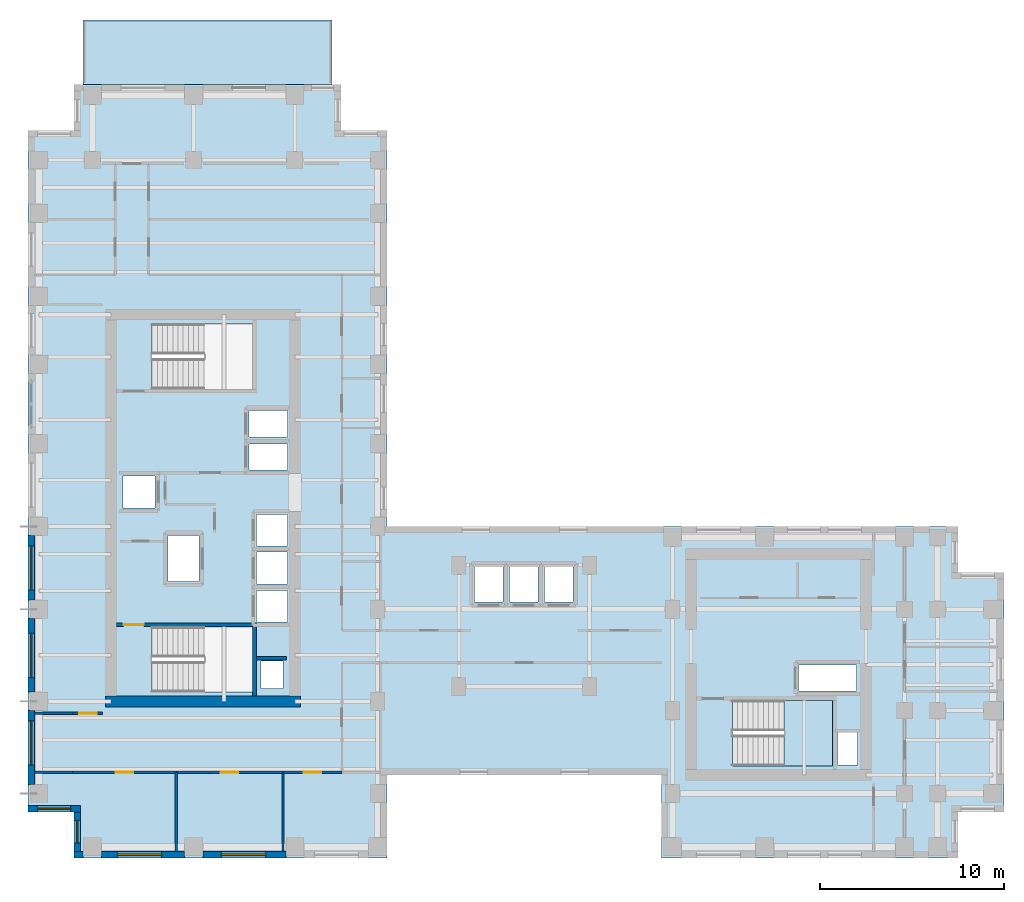
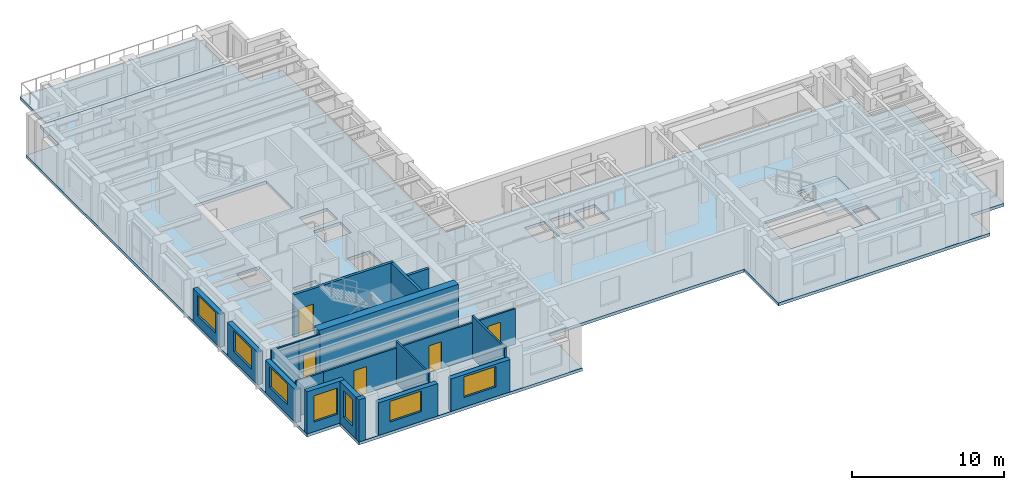
# One storey, part 4 of 13: 20 walls, 7 windows, 5 doors, 3 slabs, 12 openings, 1 element without a shape of its own.
"""IFC4 building model written with IfcOpenShell, lengths in metres."""

from ifc_helpers import new_model, si_unit, direction, frame, frame_2d, origin, place, context, subcontext, project, spatial, polyline, rectangle, outline, extrude, source, transform, mapped, material, layer, layer_set, type_object, element, fill, aggregate, save


model = new_model("IFC4")

# Units and contexts
model_context = context("Model", 3, precision=1e-05, world=origin(), true_north=direction((0.0, 1.0)))
body_context = subcontext(model_context, "Body", "Model", "MODEL_VIEW")
ifc_project = project(units=[si_unit("LENGTHUNIT", "METRE"), si_unit("AREAUNIT", "SQUARE_METRE"), si_unit("VOLUMEUNIT", "CUBIC_METRE"), si_unit("PLANEANGLEUNIT", "RADIAN"), si_unit("MASSUNIT", "GRAM", prefix="KILO")], contexts=[model_context])

# Site, building, storey
site_placement = place(None, origin())
site = spatial("IfcSite", under=ifc_project, at=site_placement, CompositionType="ELEMENT")
building_placement = place(site_placement, origin())
building = spatial("IfcBuilding", under=site, at=building_placement, Name="Kharzan Plaza Tower", CompositionType="ELEMENT")
storey_placement = place(building_placement, frame((0.0, 0.0, 143.10009765625)))
storey = spatial("IfcBuildingStorey", under=building, at=storey_placement, Name="L38", CompositionType="ELEMENT", Elevation=143.10009765625)

# Slab
ifc_material_1 = material(Name="Concrete C40/50", Category="concrete")
ifc_layer_1 = layer(ifc_material_1, 0.239990234375)
ifc_layer_set_1 = layer_set([ifc_layer_1], Name="Concrete C40/50")
slab_type_1 = type_object("IfcSlabType", Name="SL-FLOOR-240", PredefinedType="FLOOR", material=ifc_layer_set_1)
slab_1_placement = place(storey_placement, frame((0.0, 0.0, -0.239990234375)))
element("IfcSlab", 1, at=slab_1_placement, inside=storey, type_object=slab_type_1, Name="L38 Composite Structural Floor Slab 240 mm", PredefinedType="FLOOR", context=body_context, shape_type="SweptSolid", body=[
    extrude(outline(polyline([(34.39990234375, 18.0), (19.5, 18.0), (19.5, 39.5), (17.0, 39.5), (17.0, 42.0), (2.5, 42.0), (2.5, 39.5), (0.0, 39.5), (0.0, 2.5), (2.5, 2.5), (2.5, 0.0), (19.5, 0.0), (19.5, 4.5), (34.39990234375, 4.5), (34.39990234375, 0.0), (50.5, 0.0), (50.5, 2.5), (53.0, 2.5), (53.0, 15.5), (50.5, 15.5), (50.5, 18.0), (34.39990234375, 18.0)]), holes=[polyline([(12.199951171875, 9.0), (12.199951171875, 12.550048828125), (6.75, 12.550048828125), (6.75, 9.0), (12.199951171875, 9.0)]), polyline([(14.10009765625, 12.800048828125), (14.10009765625, 14.530029296875), (12.39990234375, 14.530029296875), (12.39990234375, 12.800048828125), (14.10009765625, 12.800048828125)]), polyline([(14.10009765625, 14.8701171875), (14.10009765625, 16.60009765625), (12.39990234375, 16.60009765625), (12.39990234375, 14.8701171875), (14.10009765625, 14.8701171875)]), polyline([(9.300048828125, 15.0), (9.300048828125, 17.5), (7.60009765625, 17.5), (7.60009765625, 15.0), (9.300048828125, 15.0)]), polyline([(6.89990234375, 19.010009765625), (6.89990234375, 20.72998046875), (5.14990234375, 20.72998046875), (5.14990234375, 19.010009765625), (6.89990234375, 19.010009765625)]), polyline([(14.10009765625, 21.070068359375), (14.10009765625, 22.489990234375), (12.0, 22.489990234375), (12.0, 21.070068359375), (14.10009765625, 21.070068359375)]), polyline([(14.10009765625, 22.8701171875), (14.10009765625, 24.2900390625), (12.0, 24.2900390625), (12.0, 22.8701171875), (14.10009765625, 22.8701171875)]), polyline([(12.199951171875, 25.449951171875), (12.199951171875, 29.0), (6.75, 29.0), (6.75, 25.449951171875), (12.199951171875, 25.449951171875)]), polyline([(45.050048828125, 5.050048828125), (45.050048828125, 6.800048828125), (43.949951171875, 6.800048828125), (43.949951171875, 5.050048828125), (45.050048828125, 5.050048828125)]), polyline([(43.699951171875, 5.0), (43.699951171875, 8.550048828125), (38.25, 8.550048828125), (38.25, 5.0), (43.699951171875, 5.0)]), polyline([(45.0, 9.070068359375), (45.0, 10.469970703125), (41.85009765625, 10.469970703125), (41.85009765625, 9.070068359375), (45.0, 9.070068359375)]), polyline([(13.85009765625, 9.199951171875), (13.85009765625, 10.699951171875), (12.64990234375, 10.699951171875), (12.64990234375, 9.199951171875), (13.85009765625, 9.199951171875)]), polyline([(25.800048828125, 13.89990234375), (25.800048828125, 15.85009765625), (24.25, 15.85009765625), (24.25, 13.89990234375), (25.800048828125, 13.89990234375)]), polyline([(27.699951171875, 13.89990234375), (27.699951171875, 15.85009765625), (26.14990234375, 15.85009765625), (26.14990234375, 13.89990234375), (27.699951171875, 13.89990234375)]), polyline([(29.60009765625, 13.89990234375), (29.60009765625, 15.85009765625), (28.050048828125, 15.85009765625), (28.050048828125, 13.89990234375), (29.60009765625, 13.89990234375)]), polyline([(14.10009765625, 16.93994140625), (14.10009765625, 18.64990234375), (12.39990234375, 18.64990234375), (12.39990234375, 16.93994140625), (14.10009765625, 16.93994140625)])]), origin(), (0.0, 0.0, 1.0), 0.239990234375),
])

# Stair, slab
stair_type = type_object("IfcStairType", Name="STR-ST-3", PredefinedType="HALF_TURN_STAIR", material=ifc_material_1)
stair_placement = place(storey_placement, origin())
stair = element("IfcStair", 2, at=stair_placement, inside=storey, type_object=stair_type, Name="L38 Protected Exit Stair ST-3", PredefinedType="HALF_TURN_STAIR")
ifc_layer_2 = layer(ifc_material_1, 0.219970703125)
ifc_layer_set_2 = layer_set([ifc_layer_2], Name="Concrete C40/50")
slab_type_2 = type_object("IfcSlabType", Name="SL-LANDING-220", PredefinedType="LANDING", material=ifc_layer_set_2)
slab_2_placement = place(storey_placement, frame((0.0, 0.0, 1.599853515625)))
slab_2 = element("IfcSlab", 3, at=slab_2_placement, type_object=slab_type_2, Name="ST-3 landing 1", PredefinedType="LANDING", context=body_context, shape_type="SweptSolid", body=[
    extrude(outline(polyline([(41.050048828125, 5.0), (43.699951171875, 5.0), (43.699951171875, 8.550048828125), (41.050048828125, 8.550048828125), (41.050048828125, 5.0)])), origin(), (0.0, 0.0, 1.0), 0.199951171875),
])
aggregate(stair, [slab_2])

# Slab
ifc_layer_3 = layer(ifc_material_1, 0.2451171875)
ifc_layer_set_3 = layer_set([ifc_layer_3], Name="Concrete C40/50")
slab_type_3 = type_object("IfcSlabType", Name="SL-TERR-TS-SB2", PredefinedType="ROOF", material=ifc_layer_set_3)
slab_3_placement = place(storey_placement, frame((0.0, 0.0, -0.2451171875)))
element("IfcSlab", 4, at=slab_3_placement, inside=storey, type_object=slab_type_3, Name="L38 Mid-Tower Setback Sky Terrace", PredefinedType="ROOF", context=body_context, shape_type="SweptSolid", body=[
    extrude(outline(polyline([(3.0, 42.0), (16.5, 42.0), (16.5, 45.5), (3.0, 45.5), (3.0, 42.0)])), origin(), (0.0, 0.0, 1.0), 0.2451171875),
])

# Wall, opening, window
ifc_layer_4 = layer(ifc_material_1, 0.35009765625)
ifc_layer_set_4 = layer_set([ifc_layer_4], Name="Concrete C40/50")
wall_type_1 = type_object("IfcWallType", Name="WL-EXT-MAS-Z3", PredefinedType="SOLIDWALL", material=ifc_layer_set_4)
wall_1_placement = place(storey_placement, frame((0.175048828125, 17.501953125, 0.0), z_axis=(0.0, 0.0, 1.0), x_axis=(0.0, -1.0, 0.0)))
wall_1 = element("IfcWall", 5, at=wall_1_placement, inside=storey, type_object=wall_type_1, Name="L38 Masonry-Frame Exterior Wall 16", PredefinedType="SOLIDWALL", context=body_context, shape_type="SweptSolid", body=[
    extrude(rectangle(XDim=3.50390625, YDim=0.35009765625, at=frame_2d((1.751953125, 0.0))), origin(), (0.0, 0.0, 1.0), 2.61181640625),
])
opening_1_placement = place(wall_1_placement, frame((0.552001953125, 0.0, 0.780029296875)))
opening_1 = element("IfcOpeningElement", 6, at=opening_1_placement, cuts=wall_1, Name="Opening W2", PredefinedType="OPENING", context=body_context, shape_type="SweptSolid", body=[
    extrude(rectangle(XDim=2.39990234375, YDim=1.652099609375, at=frame_2d((1.199951171875, 0.826171875))), frame((0.0, 0.18505859375, 0.0), z_axis=(0.0, -1.0, 0.0), x_axis=(1.0, 0.0, 0.0)), (0.0, 0.0, 1.0), 0.3701171875),
])
ifc_material_2 = material(Name="Low-E Double Glazing", Category="glass")
window_type_1 = type_object("IfcWindowType", Name="WN-REC-2400x2100", PartitioningType="SINGLE_PANEL", PredefinedType="WINDOW", material=ifc_material_2)
shared_shape_1 = source(origin(), body_context, "Body", "SweptSolid", [
    extrude(rectangle(XDim=2.39990234375, YDim=1.652099609375, at=frame_2d((1.199951171875, 0.826171875))), frame((0.0, 0.030029296875, 0.0), z_axis=(0.0, -1.0, 0.0), x_axis=(1.0, 0.0, 0.0)), (0.0, 0.0, 1.0), 0.06005859375),
])
window_1_placement = place(opening_1_placement, origin())
window_1 = element("IfcWindow", 7, at=window_1_placement, inside=storey, type_object=window_type_1, Name="L38 Wide Recessed Solar-Control Window 16-1", OverallHeight=1.652099609375, OverallWidth=2.39990234375, PartitioningType="SINGLE_PANEL", PredefinedType="WINDOW", context=body_context, shape_type="MappedRepresentation", body=[
    mapped(shared_shape_1, transform((0.0, 0.0, 0.0), x_axis=(1.0, 0.0, 0.0), y_axis=(0.0, 1.0, 0.0), z_axis=(0.0, 0.0, 1.0))),
])
fill(opening_1, window_1)

wall_2_placement = place(storey_placement, frame((0.175048828125, 13.001953125, 0.0), z_axis=(0.0, 0.0, 1.0), x_axis=(0.0, -1.0, 0.0)))
wall_2 = element("IfcWall", 8, at=wall_2_placement, inside=storey, type_object=wall_type_1, Name="L38 Masonry-Frame Exterior Wall 17", PredefinedType="SOLIDWALL", context=body_context, shape_type="SweptSolid", body=[
    extrude(rectangle(XDim=4.00390625, YDim=0.35009765625, at=frame_2d((2.001953125, 0.0))), origin(), (0.0, 0.0, 1.0), 2.61181640625),
])
opening_2_placement = place(wall_2_placement, frame((0.802001953125, 0.0, 0.780029296875)))
opening_2 = element("IfcOpeningElement", 9, at=opening_2_placement, cuts=wall_2, Name="Opening W2", PredefinedType="OPENING", context=body_context, shape_type="SweptSolid", body=[
    extrude(rectangle(XDim=2.39990234375, YDim=1.652099609375, at=frame_2d((1.199951171875, 0.826171875))), frame((0.0, 0.18505859375, 0.0), z_axis=(0.0, -1.0, 0.0), x_axis=(1.0, 0.0, 0.0)), (0.0, 0.0, 1.0), 0.3701171875),
])
window_2_placement = place(opening_2_placement, origin())
window_2 = element("IfcWindow", 10, at=window_2_placement, inside=storey, type_object=window_type_1, Name="L38 Wide Recessed Solar-Control Window 17-1", OverallHeight=1.652099609375, OverallWidth=2.39990234375, PartitioningType="SINGLE_PANEL", PredefinedType="WINDOW", context=body_context, shape_type="MappedRepresentation", body=[
    mapped(shared_shape_1, transform((0.0, 0.0, 0.0), x_axis=(1.0, 0.0, 0.0), y_axis=(0.0, 1.0, 0.0), z_axis=(0.0, 0.0, 1.0))),
])
fill(opening_2, window_2)

wall_3_placement = place(storey_placement, frame((0.175048828125, 8.001953125, 0.0), z_axis=(0.0, 0.0, 1.0), x_axis=(0.0, -1.0, 0.0)))
wall_3 = element("IfcWall", 11, at=wall_3_placement, inside=storey, type_object=wall_type_1, Name="L38 Masonry-Frame Exterior Wall 18", PredefinedType="SOLIDWALL", context=body_context, shape_type="SweptSolid", body=[
    extrude(rectangle(XDim=4.00390625, YDim=0.35009765625, at=frame_2d((2.001953125, 0.0))), origin(), (0.0, 0.0, 1.0), 2.61181640625),
])
opening_3_placement = place(wall_3_placement, frame((0.552001953125, 0.0, 0.780029296875)))
opening_3 = element("IfcOpeningElement", 12, at=opening_3_placement, cuts=wall_3, Name="Opening W2", PredefinedType="OPENING", context=body_context, shape_type="SweptSolid", body=[
    extrude(rectangle(XDim=2.39990234375, YDim=1.652099609375, at=frame_2d((1.199951171875, 0.826171875))), frame((0.0, 0.18505859375, 0.0), z_axis=(0.0, -1.0, 0.0), x_axis=(1.0, 0.0, 0.0)), (0.0, 0.0, 1.0), 0.3701171875),
])
window_3_placement = place(opening_3_placement, origin())
window_3 = element("IfcWindow", 13, at=window_3_placement, inside=storey, type_object=window_type_1, Name="L38 Wide Recessed Solar-Control Window 18-1", OverallHeight=1.652099609375, OverallWidth=2.39990234375, PartitioningType="SINGLE_PANEL", PredefinedType="WINDOW", context=body_context, shape_type="MappedRepresentation", body=[
    mapped(shared_shape_1, transform((0.0, 0.0, 0.0), x_axis=(1.0, 0.0, 0.0), y_axis=(0.0, 1.0, 0.0), z_axis=(0.0, 0.0, 1.0))),
])
fill(opening_3, window_3)

wall_4_placement = place(storey_placement, frame((0.0, 2.675048828125, 0.0), z_axis=(0.0, 0.0, 1.0), x_axis=(1.0, 0.0, 0.0)))
wall_4 = element("IfcWall", 14, at=wall_4_placement, inside=storey, type_object=wall_type_1, Name="L38 Masonry-Frame Exterior Wall 19", PredefinedType="SOLIDWALL", context=body_context, shape_type="SweptSolid", body=[
    extrude(rectangle(XDim=2.85009765625, YDim=0.35009765625, at=frame_2d((1.425048828125, 0.0))), origin(), (0.0, 0.0, 1.0), 3.385009765625),
])
opening_4_placement = place(wall_4_placement, frame((0.52490234375, 0.0, 0.780029296875)))
opening_4 = element("IfcOpeningElement", 15, at=opening_4_placement, cuts=wall_4, Name="Opening W1", PredefinedType="OPENING", context=body_context, shape_type="SweptSolid", body=[
    extrude(rectangle(XDim=1.800048828125, YDim=2.10009765625, at=frame_2d((0.89990234375, 1.050048828125))), frame((0.0, 0.18505859375, 0.0), z_axis=(0.0, -1.0, 0.0), x_axis=(1.0, 0.0, 0.0)), (0.0, 0.0, 1.0), 0.3701171875),
])
window_type_2 = type_object("IfcWindowType", Name="WN-REC-1800x2100", PartitioningType="SINGLE_PANEL", PredefinedType="WINDOW", material=ifc_material_2)
shared_shape_2 = source(origin(), body_context, "Body", "SweptSolid", [
    extrude(rectangle(XDim=1.800048828125, YDim=2.10009765625, at=frame_2d((0.89990234375, 1.050048828125))), frame((0.0, 0.030029296875, 0.0), z_axis=(0.0, -1.0, 0.0), x_axis=(1.0, 0.0, 0.0)), (0.0, 0.0, 1.0), 0.06005859375),
])
window_4_placement = place(opening_4_placement, origin())
window_4 = element("IfcWindow", 16, at=window_4_placement, inside=storey, type_object=window_type_2, Name="L38 Recessed Solar-Control Window 19-1", OverallHeight=2.10009765625, OverallWidth=1.800048828125, PartitioningType="SINGLE_PANEL", PredefinedType="WINDOW", context=body_context, shape_type="MappedRepresentation", body=[
    mapped(shared_shape_2, transform((0.0, 0.0, 0.0), x_axis=(1.0, 0.0, 0.0), y_axis=(0.0, 1.0, 0.0), z_axis=(0.0, 0.0, 1.0))),
])
fill(opening_4, window_4)

wall_5_placement = place(storey_placement, frame((2.675048828125, 2.501953125, 0.0), z_axis=(0.0, 0.0, 1.0), x_axis=(0.0, -1.0, 0.0)))
wall_5 = element("IfcWall", 17, at=wall_5_placement, inside=storey, type_object=wall_type_1, Name="L38 Masonry-Frame Exterior Wall 20", PredefinedType="SOLIDWALL", context=body_context, shape_type="SweptSolid", body=[
    extrude(rectangle(XDim=2.154052734375, YDim=0.35009765625, at=frame_2d((1.0771484375, 0.0))), origin(), (0.0, 0.0, 1.0), 3.385009765625),
])
opening_5_placement = place(wall_5_placement, frame((0.47705078125, 0.0, 0.780029296875)))
opening_5 = element("IfcOpeningElement", 18, at=opening_5_placement, cuts=wall_5, Name="Opening W3", PredefinedType="OPENING", context=body_context, shape_type="SweptSolid", body=[
    extrude(rectangle(XDim=1.199951171875, YDim=2.10009765625, at=frame_2d((0.60009765625, 1.050048828125))), frame((0.0, 0.18505859375, 0.0), z_axis=(0.0, -1.0, 0.0), x_axis=(1.0, 0.0, 0.0)), (0.0, 0.0, 1.0), 0.3701171875),
])
window_type_3 = type_object("IfcWindowType", Name="WN-REC-1200x2100", PartitioningType="SINGLE_PANEL", PredefinedType="WINDOW", material=ifc_material_2)
shared_shape_3 = source(origin(), body_context, "Body", "SweptSolid", [
    extrude(rectangle(XDim=1.199951171875, YDim=2.10009765625, at=frame_2d((0.60009765625, 1.050048828125))), frame((0.0, 0.030029296875, 0.0), z_axis=(0.0, -1.0, 0.0), x_axis=(1.0, 0.0, 0.0)), (0.0, 0.0, 1.0), 0.06005859375),
])
window_5_placement = place(opening_5_placement, origin())
window_5 = element("IfcWindow", 19, at=window_5_placement, inside=storey, type_object=window_type_3, Name="L38 Recessed Solar-Control Window 20-1", OverallHeight=2.10009765625, OverallWidth=1.199951171875, PartitioningType="SINGLE_PANEL", PredefinedType="WINDOW", context=body_context, shape_type="MappedRepresentation", body=[
    mapped(shared_shape_3, transform((0.0, 0.0, 0.0), x_axis=(1.0, 0.0, 0.0), y_axis=(0.0, 1.0, 0.0), z_axis=(0.0, 0.0, 1.0))),
])
fill(opening_5, window_5)

wall_6_placement = place(storey_placement, frame((3.998046875, 0.175048828125, 0.0), z_axis=(0.0, 0.0, 1.0), x_axis=(1.0, 0.0, 0.0)))
wall_6 = element("IfcWall", 20, at=wall_6_placement, inside=storey, type_object=wall_type_1, Name="L38 Masonry-Frame Exterior Wall 22", PredefinedType="SOLIDWALL", context=body_context, shape_type="SweptSolid", body=[
    extrude(rectangle(XDim=4.50390625, YDim=0.35009765625, at=frame_2d((2.251953125, 0.0))), origin(), (0.0, 0.0, 1.0), 2.61181640625),
])
opening_6_placement = place(wall_6_placement, frame((0.866455078125, 0.0, 0.780029296875)))
opening_6 = element("IfcOpeningElement", 21, at=opening_6_placement, cuts=wall_6, Name="Opening W2", PredefinedType="OPENING", context=body_context, shape_type="SweptSolid", body=[
    extrude(rectangle(XDim=2.39990234375, YDim=1.652099609375, at=frame_2d((1.199951171875, 0.826171875))), frame((0.0, 0.18505859375, 0.0), z_axis=(0.0, -1.0, 0.0), x_axis=(1.0, 0.0, 0.0)), (0.0, 0.0, 1.0), 0.3701171875),
])
window_6_placement = place(opening_6_placement, origin())
window_6 = element("IfcWindow", 22, at=window_6_placement, inside=storey, type_object=window_type_1, Name="L38 Wide Recessed Solar-Control Window 22-1", OverallHeight=1.652099609375, OverallWidth=2.39990234375, PartitioningType="SINGLE_PANEL", PredefinedType="WINDOW", context=body_context, shape_type="MappedRepresentation", body=[
    mapped(shared_shape_1, transform((0.0, 0.0, 0.0), x_axis=(1.0, 0.0, 0.0), y_axis=(0.0, 1.0, 0.0), z_axis=(0.0, 0.0, 1.0))),
])
fill(opening_6, window_6)

wall_7_placement = place(storey_placement, frame((9.498046875, 0.175048828125, 0.0), z_axis=(0.0, 0.0, 1.0), x_axis=(1.0, 0.0, 0.0)))
wall_7 = element("IfcWall", 23, at=wall_7_placement, inside=storey, type_object=wall_type_1, Name="L38 Masonry-Frame Exterior Wall 23", PredefinedType="SOLIDWALL", context=body_context, shape_type="SweptSolid", body=[
    extrude(rectangle(XDim=4.50390625, YDim=0.35009765625, at=frame_2d((2.251953125, 0.0))), origin(), (0.0, 0.0, 1.0), 2.61181640625),
])
opening_7_placement = place(wall_7_placement, frame((1.012939453125, 0.0, 0.780029296875)))
opening_7 = element("IfcOpeningElement", 24, at=opening_7_placement, cuts=wall_7, Name="Opening W2", PredefinedType="OPENING", context=body_context, shape_type="SweptSolid", body=[
    extrude(rectangle(XDim=2.39990234375, YDim=1.652099609375, at=frame_2d((1.199951171875, 0.826171875))), frame((0.0, 0.18505859375, 0.0), z_axis=(0.0, -1.0, 0.0), x_axis=(1.0, 0.0, 0.0)), (0.0, 0.0, 1.0), 0.3701171875),
])
window_7_placement = place(opening_7_placement, origin())
window_7 = element("IfcWindow", 25, at=window_7_placement, inside=storey, type_object=window_type_1, Name="L38 Wide Recessed Solar-Control Window 23-1", OverallHeight=1.652099609375, OverallWidth=2.39990234375, PartitioningType="SINGLE_PANEL", PredefinedType="WINDOW", context=body_context, shape_type="MappedRepresentation", body=[
    mapped(shared_shape_1, transform((0.0, 0.0, 0.0), x_axis=(1.0, 0.0, 0.0), y_axis=(0.0, 1.0, 0.0), z_axis=(0.0, 0.0, 1.0))),
])
fill(opening_7, window_7)

# Wall, opening, door
ifc_material_3 = material(Name="Fire-Rated Gypsum Board Partition", Category="gypsum")
ifc_layer_5 = layer(ifc_material_3, 0.125)
ifc_layer_set_5 = layer_set([ifc_layer_5], Name="Fire-Rated Gypsum Board Partition")
wall_type_2 = type_object("IfcWallType", Name="WL-INT-PART-125", PredefinedType="PARTITIONING", material=ifc_layer_set_5)
wall_8_placement = place(storey_placement, frame((2.449951171875, 7.85009765625, 0.0), z_axis=(0.0, 0.0, 1.0), x_axis=(1.0, 0.0, 0.0)))
wall_8 = element("IfcWall", 26, at=wall_8_placement, inside=storey, type_object=wall_type_2, Name="L38 Interior Partition SH-RWSD", PredefinedType="PARTITIONING", context=body_context, shape_type="SweptSolid", body=[
    extrude(rectangle(XDim=1.60009765625, YDim=0.125, at=frame_2d((0.800048828125, 0.0))), origin(), (0.0, 0.0, 1.0), 3.385009765625),
])
opening_8_placement = place(wall_8_placement, frame((0.324951171875, 0.0, 0.0)))
opening_8 = element("IfcOpeningElement", 27, at=opening_8_placement, cuts=wall_8, Name="Opening OD1", PredefinedType="OPENING", context=body_context, shape_type="SweptSolid", body=[
    extrude(rectangle(XDim=0.949951171875, YDim=2.14990234375, at=frame_2d((0.47509765625, 1.074951171875))), frame((0.0, 0.072509765625, 0.0), z_axis=(0.0, -1.0, 0.0), x_axis=(1.0, 0.0, 0.0)), (0.0, 0.0, 1.0), 0.14501953125),
])
ifc_material_4 = material(Name="Acoustic Solid-Core Stained Oak", Category="timber")
door_type_1 = type_object("IfcDoorType", Name="DR-OFF-SINGLE", OperationType="NOTDEFINED", PredefinedType="DOOR", material=ifc_material_4)
shared_shape_4 = source(origin(), body_context, "Body", "SweptSolid", [
    extrude(rectangle(XDim=0.949951171875, YDim=2.14990234375, at=frame_2d((0.47509765625, 1.074951171875))), frame((0.0, 0.02490234375, 0.0), z_axis=(0.0, -1.0, 0.0), x_axis=(1.0, 0.0, 0.0)), (0.0, 0.0, 1.0), 0.050048828125),
])
door_1_placement = place(opening_8_placement, origin())
door_1 = element("IfcDoor", 28, at=door_1_placement, inside=storey, type_object=door_type_1, Name="L38 West Studio South Door", OperationType="SINGLE_SWING_RIGHT", OverallHeight=2.14990234375, OverallWidth=0.949951171875, PredefinedType="DOOR", context=body_context, shape_type="MappedRepresentation", body=[
    mapped(shared_shape_4, transform((0.0, 0.0, 0.0), x_axis=(1.0, 0.0, 0.0), y_axis=(0.0, 1.0, 0.0), z_axis=(0.0, 0.0, 1.0))),
])
fill(opening_8, door_1)

wall_9_placement = place(storey_placement, frame((2.449951171875, 4.64990234375, 0.0), z_axis=(0.0, 0.0, 1.0), x_axis=(1.0, 0.0, 0.0)))
wall_9 = element("IfcWall", 29, at=wall_9_placement, inside=storey, type_object=wall_type_2, Name="L38 Interior Partition SH-SS-1", PredefinedType="PARTITIONING", context=body_context, shape_type="SweptSolid", body=[
    extrude(rectangle(XDim=5.611083984375, YDim=0.125, at=frame_2d((2.8056640625, 0.0))), origin(), (0.0, 0.0, 1.0), 2.847900390625),
])
opening_9_placement = place(wall_9_placement, frame((2.33056640625, 0.0, 0.0)))
opening_9 = element("IfcOpeningElement", 30, at=opening_9_placement, cuts=wall_9, Name="Opening OD1", PredefinedType="OPENING", context=body_context, shape_type="SweptSolid", body=[
    extrude(rectangle(XDim=0.949951171875, YDim=2.14990234375, at=frame_2d((0.47509765625, 1.074951171875))), frame((0.0, 0.072509765625, 0.0), z_axis=(0.0, -1.0, 0.0), x_axis=(1.0, 0.0, 0.0)), (0.0, 0.0, 1.0), 0.14501953125),
])
door_2_placement = place(opening_9_placement, origin())
door_2 = element("IfcDoor", 31, at=door_2_placement, inside=storey, type_object=door_type_1, Name="L38 Cloud Architecture Office Door", OperationType="SINGLE_SWING_LEFT", OverallHeight=2.14990234375, OverallWidth=0.949951171875, PredefinedType="DOOR", context=body_context, shape_type="MappedRepresentation", body=[
    mapped(shared_shape_4, transform((0.0, 0.0, 0.0), x_axis=(1.0, 0.0, 0.0), y_axis=(0.0, 1.0, 0.0), z_axis=(0.0, 0.0, 1.0))),
])
fill(opening_9, door_2)

wall_10_placement = place(storey_placement, frame((8.06103515625, 4.64990234375, 0.0), z_axis=(0.0, 0.0, 1.0), x_axis=(1.0, 0.0, 0.0)))
wall_10 = element("IfcWall", 32, at=wall_10_placement, inside=storey, type_object=wall_type_2, Name="L38 Interior Partition SH-SS-2", PredefinedType="PARTITIONING", context=body_context, shape_type="SweptSolid", body=[
    extrude(rectangle(XDim=5.79296875, YDim=0.125, at=frame_2d((2.896484375, 0.0))), origin(), (0.0, 0.0, 1.0), 2.847900390625),
])
opening_10_placement = place(wall_10_placement, frame((2.42138671875, 0.0, 0.0)))
opening_10 = element("IfcOpeningElement", 33, at=opening_10_placement, cuts=wall_10, Name="Opening OD1", PredefinedType="OPENING", context=body_context, shape_type="SweptSolid", body=[
    extrude(rectangle(XDim=0.949951171875, YDim=2.14990234375, at=frame_2d((0.47509765625, 1.074951171875))), frame((0.0, 0.072509765625, 0.0), z_axis=(0.0, -1.0, 0.0), x_axis=(1.0, 0.0, 0.0)), (0.0, 0.0, 1.0), 0.14501953125),
])
door_3_placement = place(opening_10_placement, origin())
door_3 = element("IfcDoor", 34, at=door_3_placement, inside=storey, type_object=door_type_1, Name="L38 Sprint Review Meeting Room Door", OperationType="SINGLE_SWING_RIGHT", OverallHeight=2.14990234375, OverallWidth=0.949951171875, PredefinedType="DOOR", context=body_context, shape_type="MappedRepresentation", body=[
    mapped(shared_shape_4, transform((0.0, 0.0, 0.0), x_axis=(1.0, 0.0, 0.0), y_axis=(0.0, 1.0, 0.0), z_axis=(0.0, 0.0, 1.0))),
])
fill(opening_10, door_3)

wall_11_placement = place(storey_placement, frame((13.85400390625, 4.64990234375, 0.0), z_axis=(0.0, 0.0, 1.0), x_axis=(1.0, 0.0, 0.0)))
wall_11 = element("IfcWall", 35, at=wall_11_placement, inside=storey, type_object=wall_type_2, Name="L38 Interior Partition SH-SS-3", PredefinedType="PARTITIONING", context=body_context, shape_type="SweptSolid", body=[
    extrude(rectangle(XDim=3.196044921875, YDim=0.125, at=frame_2d((1.59814453125, 0.0))), origin(), (0.0, 0.0, 1.0), 2.847900390625),
])
opening_11_placement = place(wall_11_placement, frame((1.123046875, 0.0, 0.0)))
opening_11 = element("IfcOpeningElement", 36, at=opening_11_placement, cuts=wall_11, Name="Opening OD1", PredefinedType="OPENING", context=body_context, shape_type="SweptSolid", body=[
    extrude(rectangle(XDim=0.949951171875, YDim=2.14990234375, at=frame_2d((0.47509765625, 1.074951171875))), frame((0.0, 0.072509765625, 0.0), z_axis=(0.0, -1.0, 0.0), x_axis=(1.0, 0.0, 0.0)), (0.0, 0.0, 1.0), 0.14501953125),
])
door_4_placement = place(opening_11_placement, origin())
door_4 = element("IfcDoor", 37, at=door_4_placement, inside=storey, type_object=door_type_1, Name="L38 Staff Tea Pantry Door", OperationType="SINGLE_SWING_LEFT", OverallHeight=2.14990234375, OverallWidth=0.949951171875, PredefinedType="DOOR", context=body_context, shape_type="MappedRepresentation", body=[
    mapped(shared_shape_4, transform((0.0, 0.0, 0.0), x_axis=(1.0, 0.0, 0.0), y_axis=(0.0, 1.0, 0.0), z_axis=(0.0, 0.0, 1.0))),
])
fill(opening_11, door_4)

ifc_material_5 = material(Name="Concrete C50/60", Category="concrete")
ifc_layer_6 = layer(ifc_material_5, 0.199951171875)
ifc_layer_set_6 = layer_set([ifc_layer_6], Name="Concrete C50/60")
wall_type_3 = type_object("IfcWallType", Name="WL-SHAFT-RC200", PredefinedType="SHEAR", material=ifc_layer_set_6)
wall_12_placement = place(storey_placement, frame((4.802001953125, 12.655029296875, 0.0), z_axis=(0.0, 0.0, 1.0), x_axis=(1.0, 0.0, 0.0)))
wall_12 = element("IfcWall", 38, at=wall_12_placement, inside=storey, type_object=wall_type_3, Name="L38 Stair ST-1 North RC Shaft Wall", PredefinedType="SHEAR", context=body_context, shape_type="SweptSolid", body=[
    extrude(rectangle(XDim=7.60302734375, YDim=0.199951171875, at=frame_2d((3.801513671875, 0.0))), origin(), (0.0, 0.0, 1.0), 3.39990234375),
])
opening_12_placement = place(wall_12_placement, frame((0.39990234375, 0.0, 0.0)))
opening_12 = element("IfcOpeningElement", 39, at=opening_12_placement, cuts=wall_12, Name="Opening SD1", PredefinedType="OPENING", context=body_context, shape_type="SweptSolid", body=[
    extrude(rectangle(XDim=1.10009765625, YDim=2.14990234375, at=frame_2d((0.550048828125, 1.074951171875))), frame((0.0, 0.10986328125, 0.0), z_axis=(0.0, -1.0, 0.0), x_axis=(1.0, 0.0, 0.0)), (0.0, 0.0, 1.0), 0.219970703125),
])
ifc_material_6 = material(Name="Fire-Rated Hollow Galvanized Steel", Category="steel")
door_type_2 = type_object("IfcDoorType", Name="DR-STAIR-FD120", OperationType="NOTDEFINED", PredefinedType="DOOR", material=ifc_material_6)
shared_shape_5 = source(origin(), body_context, "Body", "SweptSolid", [
    extrude(rectangle(XDim=1.10009765625, YDim=2.14990234375, at=frame_2d((0.550048828125, 1.074951171875))), frame((0.0, 0.02490234375, 0.0), z_axis=(0.0, -1.0, 0.0), x_axis=(1.0, 0.0, 0.0)), (0.0, 0.0, 1.0), 0.050048828125),
])
door_5_placement = place(opening_12_placement, origin())
door_5 = element("IfcDoor", 40, at=door_5_placement, inside=storey, type_object=door_type_2, Name="L38 Stair ST-1 Fire Exit Door", OperationType="SINGLE_SWING_LEFT", OverallHeight=2.14990234375, OverallWidth=1.10009765625, PredefinedType="DOOR", context=body_context, shape_type="MappedRepresentation", body=[
    mapped(shared_shape_5, transform((0.0, 0.0, 0.0), x_axis=(1.0, 0.0, 0.0), y_axis=(0.0, 1.0, 0.0), z_axis=(0.0, 0.0, 1.0))),
])
fill(opening_12, door_5)

# Walls
ifc_layer_7 = layer(ifc_material_5, 0.60009765625)
ifc_layer_set_7 = layer_set([ifc_layer_7], Name="Concrete C50/60")
wall_type_4 = type_object("IfcWallType", Name="WL-CORE-600", PredefinedType="SHEAR", material=ifc_layer_set_7)
shared_shape_6 = source(origin(), body_context, "Body", "SweptSolid", [
    extrude(rectangle(XDim=10.60009765625, YDim=0.60009765625, at=frame_2d((5.300048828125, 0.0))), origin(), (0.0, 0.0, 1.0), 3.39990234375),
])
wall_13_placement = place(storey_placement, frame((4.199951171875, 8.5, 0.0), z_axis=(0.0, 0.0, 1.0), x_axis=(1.0, 0.0, 0.0)))
element("IfcWall", 41, at=wall_13_placement, inside=storey, type_object=wall_type_4, Name="L38 CORE-A south RC shear wall", PredefinedType="SHEAR", context=body_context, shape_type="MappedRepresentation", body=[
    mapped(shared_shape_6, transform((0.0, 0.0, 0.0), x_axis=(1.0, 0.0, 0.0), y_axis=(0.0, 1.0, 0.0), z_axis=(0.0, 0.0, 1.0))),
])
shared_shape_7 = source(origin(), body_context, "Body", "SweptSolid", [
    extrude(rectangle(XDim=0.501953125, YDim=0.35009765625, at=frame_2d((0.2509765625, 0.0))), origin(), (0.0, 0.0, 1.0), 3.385009765625),
])
wall_14_placement = place(storey_placement, frame((2.5, 0.175048828125, 0.0), z_axis=(0.0, 0.0, 1.0), x_axis=(1.0, 0.0, 0.0)))
element("IfcWall", 42, at=wall_14_placement, inside=storey, type_object=wall_type_1, Name="L38 Masonry-Frame Exterior Wall 21", PredefinedType="SOLIDWALL", context=body_context, shape_type="MappedRepresentation", body=[
    mapped(shared_shape_7, transform((0.0, 0.0, 0.0), x_axis=(1.0, 0.0, 0.0), y_axis=(0.0, 1.0, 0.0), z_axis=(0.0, 0.0, 1.0))),
])
shared_shape_8 = source(origin(), body_context, "Body", "SweptSolid", [
    extrude(rectangle(XDim=2.097900390625, YDim=0.125, at=frame_2d((1.048828125, 0.0))), origin(), (0.0, 0.0, 1.0), 3.385009765625),
])
wall_15_placement = place(storey_placement, frame((0.35205078125, 7.85009765625, 0.0), z_axis=(0.0, 0.0, 1.0), x_axis=(1.0, 0.0, 0.0)))
element("IfcWall", 43, at=wall_15_placement, inside=storey, type_object=wall_type_2, Name="L38 Interior Partition SH-RWS0", PredefinedType="PARTITIONING", context=body_context, shape_type="MappedRepresentation", body=[
    mapped(shared_shape_8, transform((0.0, 0.0, 0.0), x_axis=(1.0, 0.0, 0.0), y_axis=(0.0, 1.0, 0.0), z_axis=(0.0, 0.0, 1.0))),
])
shared_shape_9 = source(origin(), body_context, "Body", "SweptSolid", [
    extrude(rectangle(XDim=2.097900390625, YDim=0.125, at=frame_2d((1.048828125, 0.0))), origin(), (0.0, 0.0, 1.0), 2.847900390625),
])
wall_16_placement = place(storey_placement, frame((0.35205078125, 4.64990234375, 0.0), z_axis=(0.0, 0.0, 1.0), x_axis=(1.0, 0.0, 0.0)))
element("IfcWall", 44, at=wall_16_placement, inside=storey, type_object=wall_type_2, Name="L38 Interior Partition SH-SS-EXT", PredefinedType="PARTITIONING", context=body_context, shape_type="MappedRepresentation", body=[
    mapped(shared_shape_9, transform((0.0, 0.0, 0.0), x_axis=(1.0, 0.0, 0.0), y_axis=(0.0, 1.0, 0.0), z_axis=(0.0, 0.0, 1.0))),
])
shared_shape_10 = source(origin(), body_context, "Body", "SweptSolid", [
    extrude(rectangle(XDim=4.2978515625, YDim=0.125, at=frame_2d((2.14892578125, 0.0))), origin(), (0.0, 0.0, 1.0), 3.385009765625),
])
for number, where, z_axis, x_axis, name in (
    (45, (8.06103515625, 0.35205078125, 0.0), (0.0, 0.0, 1.0), (0.0, 1.0, 0.0), "L38 Interior Partition SH-SV-1"),
    (46, (13.85400390625, 0.35205078125, 0.0), (0.0, 0.0, 1.0), (0.0, 1.0, 0.0), "L38 Interior Partition SH-SV-2"),
):
    element("IfcWall", number, at=place(storey_placement, frame(where, z_axis=z_axis, x_axis=x_axis)), inside=storey, type_object=wall_type_2, Name=name, PredefinedType="PARTITIONING", context=body_context, shape_type="MappedRepresentation", body=[
        mapped(shared_shape_10, transform((0.0, 0.0, 0.0), x_axis=(1.0, 0.0, 0.0), y_axis=(0.0, 1.0, 0.0), z_axis=(0.0, 0.0, 1.0))),
    ])
ifc_layer_8 = layer(ifc_material_1, 0.199951171875)
ifc_layer_set_8 = layer_set([ifc_layer_8], Name="Concrete C40/50")
wall_type_5 = type_object("IfcWallType", Name="WL-INT-SHAFT-200", PredefinedType="PARTITIONING", material=ifc_layer_set_8)
shared_shape_11 = source(origin(), body_context, "Body", "SweptSolid", [
    extrude(rectangle(XDim=1.630126953125, YDim=0.199951171875, at=frame_2d((0.81494140625, 0.0))), origin(), (0.0, 0.0, 1.0), 3.385009765625),
])
wall_17_placement = place(storey_placement, frame((12.419921875, 10.85009765625, 0.0), z_axis=(0.0, 0.0, 1.0), x_axis=(1.0, 0.0, 0.0)))
element("IfcWall", 47, at=wall_17_placement, inside=storey, type_object=wall_type_5, Name="L38 Interior Partition CA-RSRA-N", PredefinedType="PARTITIONING", context=body_context, shape_type="MappedRepresentation", body=[
    mapped(shared_shape_11, transform((0.0, 0.0, 0.0), x_axis=(1.0, 0.0, 0.0), y_axis=(0.0, 1.0, 0.0), z_axis=(0.0, 0.0, 1.0))),
])
shared_shape_12 = source(origin(), body_context, "Body", "SweptSolid", [
    extrude(rectangle(XDim=3.7529296875, YDim=0.199951171875, at=frame_2d((1.87646484375, 0.0))), origin(), (0.0, 0.0, 1.0), 3.39990234375),
])
wall_18_placement = place(storey_placement, frame((12.304931640625, 8.802001953125, 0.0), z_axis=(0.0, 0.0, 1.0), x_axis=(0.0, 1.0, 0.0)))
element("IfcWall", 48, at=wall_18_placement, inside=storey, type_object=wall_type_3, Name="L38 Stair ST-1 East RC Shaft Wall", PredefinedType="SHEAR", context=body_context, shape_type="MappedRepresentation", body=[
    mapped(shared_shape_12, transform((0.0, 0.0, 0.0), x_axis=(1.0, 0.0, 0.0), y_axis=(0.0, 1.0, 0.0), z_axis=(0.0, 0.0, 1.0))),
])

save(model, "model.ifc")
